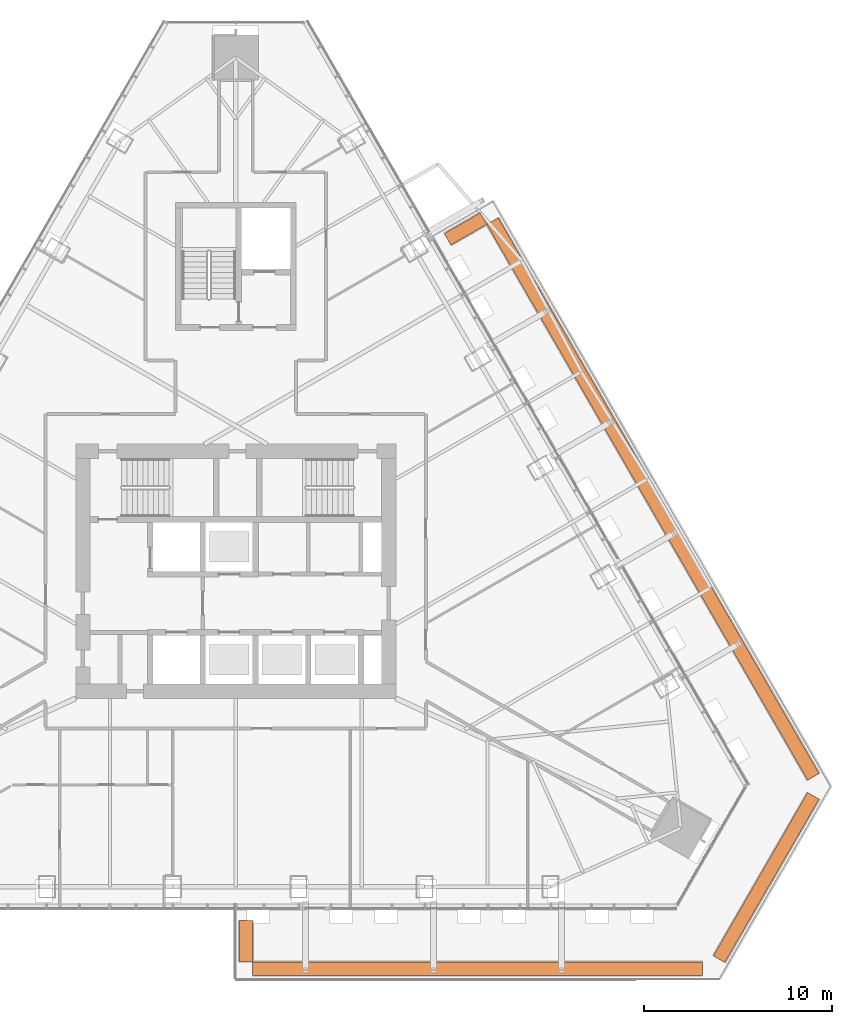
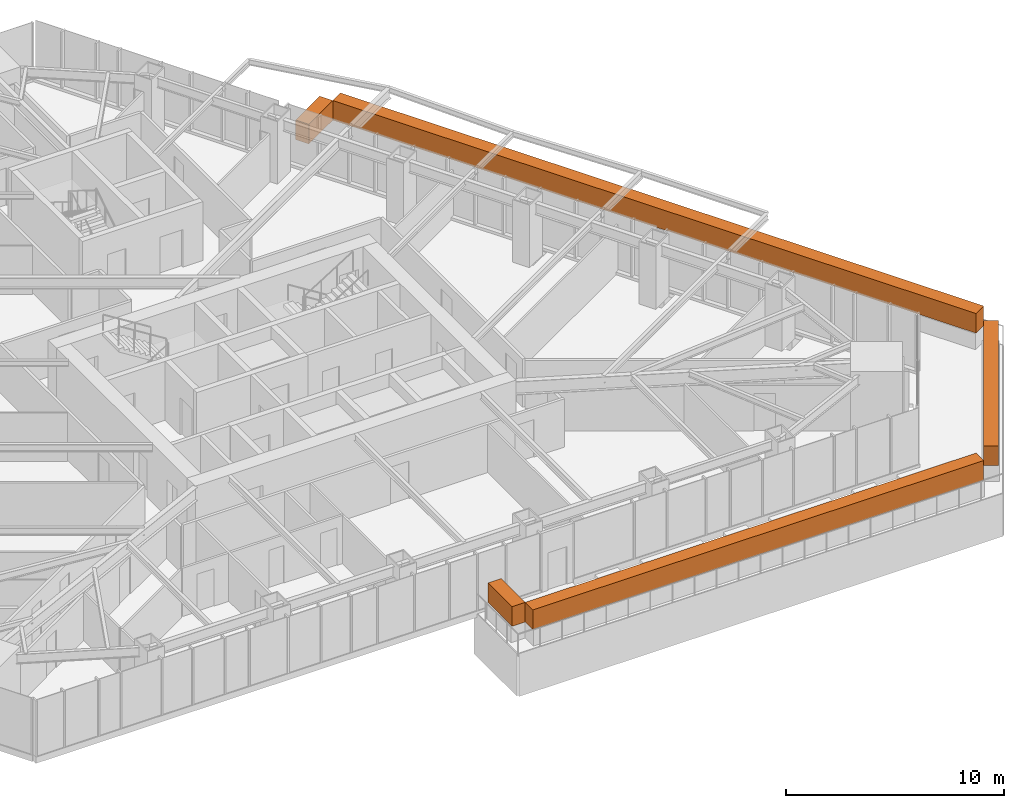
# One storey, part 17 of 17: 5 geographic elements.
"""IFC4 building model written with IfcOpenShell, lengths in metres."""

from ifc_helpers import new_model, si_unit, direction, frame, origin, origin_2d, place, context, subcontext, project, spatial, rectangle, extrude, material, type_object, element, save


model = new_model("IFC4")

# Units and contexts
model_context = context("Model", 3, precision=1e-05, world=origin(), true_north=direction((0.0, 1.0)))
body_context = subcontext(model_context, "Body", "Model", "MODEL_VIEW")
ifc_project = project(units=[si_unit("LENGTHUNIT", "METRE"), si_unit("AREAUNIT", "SQUARE_METRE"), si_unit("VOLUMEUNIT", "CUBIC_METRE"), si_unit("PLANEANGLEUNIT", "RADIAN"), si_unit("MASSUNIT", "GRAM", prefix="KILO")], contexts=[model_context])

# Site, building, storey
site_placement = place(None, origin())
site = spatial("IfcSite", under=ifc_project, at=site_placement, CompositionType="ELEMENT")
building_placement = place(site_placement, origin())
building = spatial("IfcBuilding", under=site, at=building_placement, Name="Firuza Gate Tower and Library", CompositionType="ELEMENT")
storey_placement = place(building_placement, frame((0.0, 0.0, 263.60009765625)))
storey = spatial("IfcBuildingStorey", under=building, at=storey_placement, Name="L62", CompositionType="ELEMENT", Elevation=263.60009765625)

# Geographic elements
ifc_material = material(Name="Foliage")
geographic_element_type = type_object("IfcGeographicElementType", Name="Planted hedge", PredefinedType="USERDEFINED", material=ifc_material)
geographic_element_1_placement = place(storey_placement, frame((75.550048828125, 55.33935546875, 0.89990234375), z_axis=(0.0, 0.0, 1.0), x_axis=(0.0, -1.0, 0.0)))
element("IfcGeographicElement", 1, at=geographic_element_1_placement, inside=storey, type_object=geographic_element_type, Name="Planted hedge", ObjectType="HEDGE", PredefinedType="USERDEFINED", context=body_context, shape_type="SweptSolid", body=[
    extrude(rectangle(XDim=2.199951171875, YDim=0.699951171875, at=origin_2d()), origin(), (0.0, 0.0, 1.0), 1.10009765625),
])
geographic_element_2_placement = place(storey_placement, frame((87.849365234375, 53.88916015625, 0.89990234375), z_axis=(0.0, 0.0, 1.0), x_axis=(1.0, 0.0, 0.0)))
element("IfcGeographicElement", 2, at=geographic_element_2_placement, inside=storey, type_object=geographic_element_type, Name="Planted hedge", ObjectType="HEDGE", PredefinedType="USERDEFINED", context=body_context, shape_type="SweptSolid", body=[
    extrude(rectangle(XDim=23.898681640625, YDim=0.699951171875, at=origin_2d()), origin(), (0.0, 0.0, 1.0), 1.10009765625),
])
geographic_element_3_placement = place(storey_placement, frame((103.177001953125, 58.73193359375, 0.89990234375), z_axis=(0.0, 0.0, 1.0), x_axis=(0.5, 0.866025403784, 0.0)))
element("IfcGeographicElement", 3, at=geographic_element_3_placement, inside=storey, type_object=geographic_element_type, Name="Planted hedge", ObjectType="HEDGE", PredefinedType="USERDEFINED", context=body_context, shape_type="SweptSolid", body=[
    extrude(rectangle(XDim=10.018798828125, YDim=0.699951171875, at=origin_2d()), origin(), (0.0, 0.0, 1.0), 1.10009765625),
])
geographic_element_4_placement = place(storey_placement, frame((97.157958984375, 78.8427734375, 0.89990234375), z_axis=(0.0, 0.0, 1.0), x_axis=(-0.5, 0.866025403784, 0.0)))
element("IfcGeographicElement", 4, at=geographic_element_4_placement, inside=storey, type_object=geographic_element_type, Name="Planted hedge", ObjectType="HEDGE", PredefinedType="USERDEFINED", context=body_context, shape_type="SweptSolid", body=[
    extrude(rectangle(XDim=34.09521484375, YDim=0.699951171875, at=origin_2d()), origin(), (0.0, 0.0, 1.0), 1.10009765625),
])
geographic_element_5_placement = place(storey_placement, frame((87.20361328125, 93.184326171875, 0.89990234375), z_axis=(0.0, 0.0, 1.0), x_axis=(-0.866025403784, -0.5, 0.0)))
element("IfcGeographicElement", 5, at=geographic_element_5_placement, inside=storey, type_object=geographic_element_type, Name="Planted hedge", ObjectType="HEDGE", PredefinedType="USERDEFINED", context=body_context, shape_type="SweptSolid", body=[
    extrude(rectangle(XDim=2.199951171875, YDim=0.699951171875, at=origin_2d()), origin(), (0.0, 0.0, 1.0), 1.10009765625),
])

save(model, "model.ifc")
